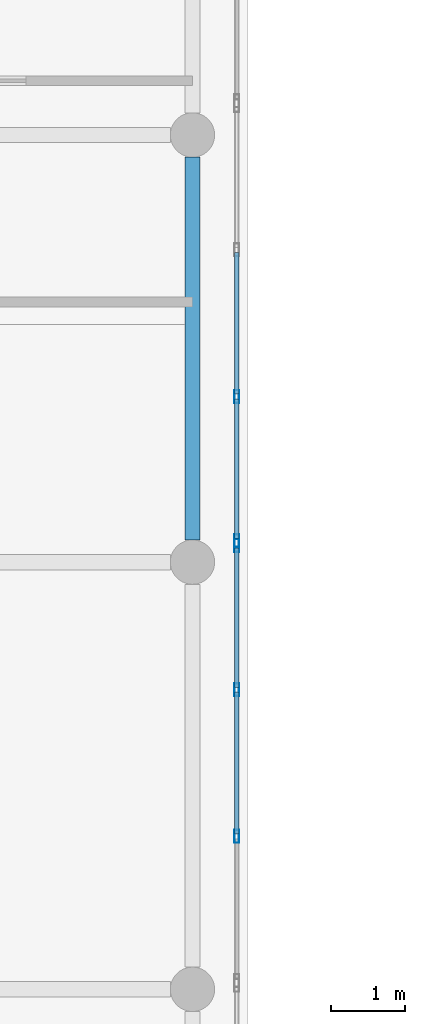
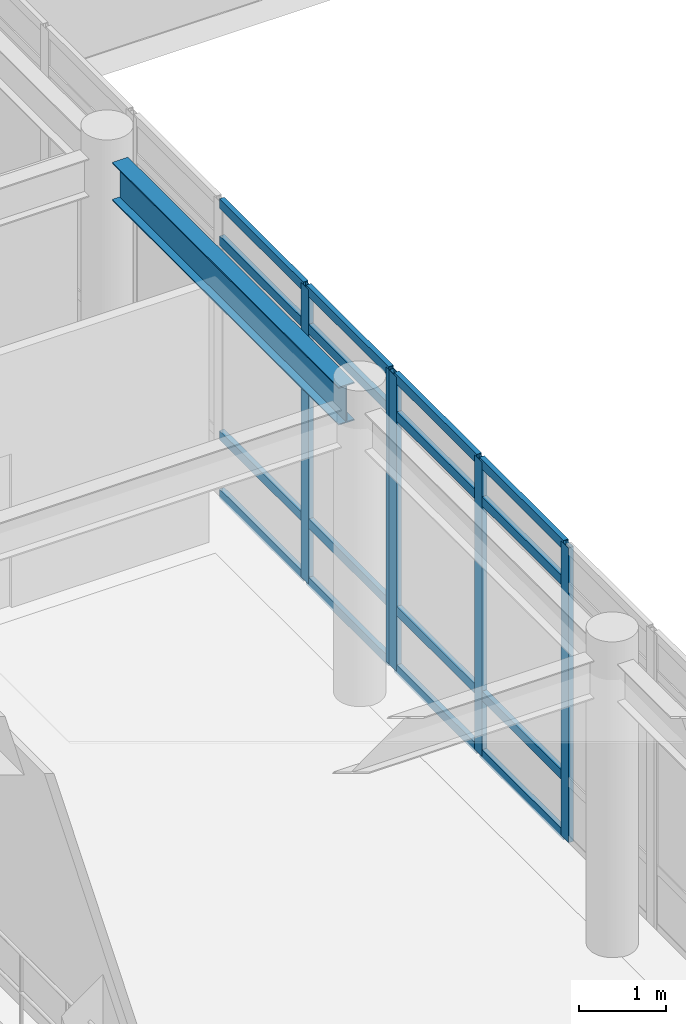
# One storey, part 60 of 142: 21 members, 1 beam, 2 elements without a shape of their own.
"""IFC4 building model written with IfcOpenShell, lengths in metres."""

from ifc_helpers import new_model, si_unit, direction, frame, origin, origin_2d, place, context, subcontext, project, spatial, hollow_rectangle, i_section, extrude, material, layer, layer_set, material_profile, profile_set, type_object, element, aggregate, save


model = new_model("IFC4")

# Units and contexts
model_context = context("Model", 3, precision=1e-05, world=origin(), true_north=direction((0.0, 1.0)))
body_context = subcontext(model_context, "Body", "Model", "MODEL_VIEW")
ifc_project = project(units=[si_unit("LENGTHUNIT", "METRE"), si_unit("AREAUNIT", "SQUARE_METRE"), si_unit("VOLUMEUNIT", "CUBIC_METRE"), si_unit("PLANEANGLEUNIT", "RADIAN"), si_unit("MASSUNIT", "GRAM", prefix="KILO")], contexts=[model_context])

# Site, building, storey
site_placement = place(None, origin())
site = spatial("IfcSite", under=ifc_project, at=site_placement, CompositionType="ELEMENT")
building_placement = place(site_placement, origin())
building = spatial("IfcBuilding", under=site, at=building_placement, Name="Valcora Specialist Clinic", CompositionType="ELEMENT")
storey_placement = place(building_placement, frame((0.0, 0.0, 5.10009765625)))
storey = spatial("IfcBuildingStorey", under=building, at=storey_placement, Name="L01", CompositionType="ELEMENT", Elevation=5.10009765625)

# Beam
ifc_material_1 = material(Name="Steel ASTM A992 Grade 50", Category="steel")
ifc_material_profile_1 = material_profile(ifc_material_1, i_section(OverallWidth=0.208984375, OverallDepth=0.532958984375, WebThickness=0.010009765625, FlangeThickness=0.01611328125, at=origin_2d()), Name="ST-IR-530X210")
ifc_profile_set_1 = profile_set([ifc_material_profile_1], Name="Steel ASTM A992 Grade 50")
beam_type = type_object("IfcBeamType", Name="TY-BM-IR530", PredefinedType="SPANDREL", material=ifc_profile_set_1)
beam_placement = place(storey_placement, frame((29.25, 67.97900390625, 3.849365234375), z_axis=(0.0, 1.0, 0.0), x_axis=(-1.0, 0.0, 0.0)))
element("IfcBeam", 1, at=beam_placement, inside=storey, type_object=beam_type, Name="Beam BM-L01-0187", PredefinedType="SPANDREL", context=body_context, shape_type="SweptSolid", body=[
    extrude(i_section(OverallWidth=0.208984375, OverallDepth=0.532958984375, WebThickness=0.010009765625, FlangeThickness=0.01611328125, at=origin_2d()), origin(), (0.0, 0.0, 1.0), 5.18505859375),
])

# Curtain wall, members
ifc_material_2 = material(Name="Anodized Bronze Aluminium 6063-T6", Category="aluminium")
ifc_layer = layer(ifc_material_2, 0.175048828125)
ifc_layer_set = layer_set([ifc_layer], Name="Anodized Bronze Aluminium 6063-T6")
curtain_wall_type = type_object("IfcCurtainWallType", Name="TY-CW-HAL18", PredefinedType="NOTDEFINED", material=ifc_layer_set)
curtain_wall_1_placement = place(storey_placement, origin())
curtain_wall_1 = element("IfcCurtainWall", 2, at=curtain_wall_1_placement, inside=storey, type_object=curtain_wall_type, Name="Curtain wall CW-L01-009", PredefinedType="NOTDEFINED")
ifc_material_profile_2 = material_profile(ifc_material_2, hollow_rectangle(XDim=0.06494140625, YDim=0.175048828125, WallThickness=0.00390625, at=origin_2d()), Name="AL-MUL-65X175")
ifc_profile_set_2 = profile_set([ifc_material_profile_2], Name="Anodized Bronze Aluminium 6063-T6")
member_type_1 = type_object("IfcMemberType", Name="TY-CWM-65X175", PredefinedType="MULLION", material=ifc_profile_set_2)
member_1_placement = place(storey_placement, frame((29.85009765625, 69.92138671875, 0.0), z_axis=(0.0, 0.0, 1.0), x_axis=(1.0, 0.0, 0.0)))
member_1 = element("IfcMember", 3, at=member_1_placement, type_object=member_type_1, Name="CW-HAL-18 mullion 3", PredefinedType="MULLION", context=body_context, shape_type="SweptSolid", body=[
    extrude(hollow_rectangle(XDim=0.06494140625, YDim=0.175048828125, WallThickness=0.00390625, at=origin_2d()), origin(), (0.0, 0.0, 1.0), 4.119873046875),
])
member_2_placement = place(storey_placement, frame((29.85009765625, 67.96826171875, 0.0), z_axis=(0.0, 0.0, 1.0), x_axis=(1.0, 0.0, 0.0)))
member_2 = element("IfcMember", 4, at=member_2_placement, type_object=member_type_1, Name="CW-HAL-18 mullion 4", PredefinedType="MULLION", context=body_context, shape_type="SweptSolid", body=[
    extrude(hollow_rectangle(XDim=0.06494140625, YDim=0.175048828125, WallThickness=0.00390625, at=origin_2d()), origin(), (0.0, 0.0, 1.0), 4.119873046875),
])

curtain_wall_2_placement = place(storey_placement, origin())
curtain_wall_2 = element("IfcCurtainWall", 5, at=curtain_wall_2_placement, inside=storey, type_object=curtain_wall_type, Name="Curtain wall CW-L01-010", PredefinedType="NOTDEFINED")
member_3_placement = place(storey_placement, frame((29.85009765625, 67.9033203125, 0.0), z_axis=(0.0, 0.0, 1.0), x_axis=(1.0, 0.0, 0.0)))
member_3 = element("IfcMember", 6, at=member_3_placement, type_object=member_type_1, Name="CW-HAL-18 mullion 1", PredefinedType="MULLION", context=body_context, shape_type="SweptSolid", body=[
    extrude(hollow_rectangle(XDim=0.06494140625, YDim=0.175048828125, WallThickness=0.00390625, at=origin_2d()), origin(), (0.0, 0.0, 1.0), 4.119873046875),
])
member_4_placement = place(storey_placement, frame((29.85009765625, 65.949951171875, 0.0), z_axis=(0.0, 0.0, 1.0), x_axis=(1.0, 0.0, 0.0)))
member_4 = element("IfcMember", 7, at=member_4_placement, type_object=member_type_1, Name="CW-HAL-18 mullion 2", PredefinedType="MULLION", context=body_context, shape_type="SweptSolid", body=[
    extrude(hollow_rectangle(XDim=0.06494140625, YDim=0.175048828125, WallThickness=0.00390625, at=origin_2d()), origin(), (0.0, 0.0, 1.0), 4.119873046875),
])
member_5_placement = place(storey_placement, frame((29.85009765625, 63.96435546875, 0.0), z_axis=(0.0, 0.0, 1.0), x_axis=(1.0, 0.0, 0.0)))
member_5 = element("IfcMember", 8, at=member_5_placement, type_object=member_type_1, Name="CW-HAL-18 mullion 3", PredefinedType="MULLION", context=body_context, shape_type="SweptSolid", body=[
    extrude(hollow_rectangle(XDim=0.06494140625, YDim=0.175048828125, WallThickness=0.00390625, at=origin_2d()), origin(), (0.0, 0.0, 1.0), 4.119873046875),
])

# Member
ifc_material_profile_3 = material_profile(ifc_material_2, hollow_rectangle(XDim=0.06494140625, YDim=0.1298828125, WallThickness=0.00390625, at=origin_2d()), Name="AL-TRN-65X130")
ifc_profile_set_3 = profile_set([ifc_material_profile_3], Name="Anodized Bronze Aluminium 6063-T6")
member_type_2 = type_object("IfcMemberType", Name="TY-CWT-65X130", PredefinedType="USERDEFINED", material=ifc_profile_set_3)
member_6_placement = place(storey_placement, frame((29.85009765625, 71.874755859375, 0.032470703125), z_axis=(0.0, -1.0, 0.0), x_axis=(1.0, 0.0, 0.0)))
member_6 = element("IfcMember", 9, at=member_6_placement, type_object=member_type_2, Name="CW-HAL-18 transom 2.1", ObjectType="TRANSOM", PredefinedType="USERDEFINED", context=body_context, shape_type="SweptSolid", body=[
    extrude(hollow_rectangle(XDim=0.06494140625, YDim=0.1298828125, WallThickness=0.00390625, at=origin_2d()), origin(), (0.0, 0.0, 1.0), 1.9208984375),
])

member_7_placement = place(storey_placement, frame((29.85009765625, 71.874755859375, 0.849853515625), z_axis=(0.0, -1.0, 0.0), x_axis=(1.0, 0.0, 0.0)))
member_7 = element("IfcMember", 10, at=member_7_placement, type_object=member_type_2, Name="CW-HAL-18 transom 2.2", ObjectType="TRANSOM", PredefinedType="USERDEFINED", context=body_context, shape_type="SweptSolid", body=[
    extrude(hollow_rectangle(XDim=0.06494140625, YDim=0.1298828125, WallThickness=0.00390625, at=origin_2d()), origin(), (0.0, 0.0, 1.0), 1.9208984375),
])

member_8_placement = place(storey_placement, frame((29.85009765625, 71.874755859375, 3.56982421875), z_axis=(0.0, -1.0, 0.0), x_axis=(1.0, 0.0, 0.0)))
member_8 = element("IfcMember", 11, at=member_8_placement, type_object=member_type_2, Name="CW-HAL-18 transom 2.3", ObjectType="TRANSOM", PredefinedType="USERDEFINED", context=body_context, shape_type="SweptSolid", body=[
    extrude(hollow_rectangle(XDim=0.06494140625, YDim=0.1298828125, WallThickness=0.00390625, at=origin_2d()), origin(), (0.0, 0.0, 1.0), 1.9208984375),
])

member_9_placement = place(storey_placement, frame((29.85009765625, 71.874755859375, 4.08740234375), z_axis=(0.0, -1.0, 0.0), x_axis=(1.0, 0.0, 0.0)))
member_9 = element("IfcMember", 12, at=member_9_placement, type_object=member_type_2, Name="CW-HAL-18 transom 2.4", ObjectType="TRANSOM", PredefinedType="USERDEFINED", context=body_context, shape_type="SweptSolid", body=[
    extrude(hollow_rectangle(XDim=0.06494140625, YDim=0.1298828125, WallThickness=0.00390625, at=origin_2d()), origin(), (0.0, 0.0, 1.0), 1.9208984375),
])

member_10_placement = place(storey_placement, frame((29.85009765625, 69.888916015625, 0.032470703125), z_axis=(0.0, -1.0, 0.0), x_axis=(1.0, 0.0, 0.0)))
member_10 = element("IfcMember", 13, at=member_10_placement, type_object=member_type_2, Name="CW-HAL-18 transom 3.1", ObjectType="TRANSOM", PredefinedType="USERDEFINED", context=body_context, shape_type="SweptSolid", body=[
    extrude(hollow_rectangle(XDim=0.06494140625, YDim=0.1298828125, WallThickness=0.00390625, at=origin_2d()), origin(), (0.0, 0.0, 1.0), 1.88818359375),
])

member_11_placement = place(storey_placement, frame((29.85009765625, 69.888916015625, 0.849853515625), z_axis=(0.0, -1.0, 0.0), x_axis=(1.0, 0.0, 0.0)))
member_11 = element("IfcMember", 14, at=member_11_placement, type_object=member_type_2, Name="CW-HAL-18 transom 3.2", ObjectType="TRANSOM", PredefinedType="USERDEFINED", context=body_context, shape_type="SweptSolid", body=[
    extrude(hollow_rectangle(XDim=0.06494140625, YDim=0.1298828125, WallThickness=0.00390625, at=origin_2d()), origin(), (0.0, 0.0, 1.0), 1.88818359375),
])

member_12_placement = place(storey_placement, frame((29.85009765625, 69.888916015625, 3.56982421875), z_axis=(0.0, -1.0, 0.0), x_axis=(1.0, 0.0, 0.0)))
member_12 = element("IfcMember", 15, at=member_12_placement, type_object=member_type_2, Name="CW-HAL-18 transom 3.3", ObjectType="TRANSOM", PredefinedType="USERDEFINED", context=body_context, shape_type="SweptSolid", body=[
    extrude(hollow_rectangle(XDim=0.06494140625, YDim=0.1298828125, WallThickness=0.00390625, at=origin_2d()), origin(), (0.0, 0.0, 1.0), 1.88818359375),
])

member_13_placement = place(storey_placement, frame((29.85009765625, 69.888916015625, 4.08740234375), z_axis=(0.0, -1.0, 0.0), x_axis=(1.0, 0.0, 0.0)))
member_13 = element("IfcMember", 16, at=member_13_placement, type_object=member_type_2, Name="CW-HAL-18 transom 3.4", ObjectType="TRANSOM", PredefinedType="USERDEFINED", context=body_context, shape_type="SweptSolid", body=[
    extrude(hollow_rectangle(XDim=0.06494140625, YDim=0.1298828125, WallThickness=0.00390625, at=origin_2d()), origin(), (0.0, 0.0, 1.0), 1.88818359375),
])

aggregate(curtain_wall_1, [member_1, member_2, member_6, member_7, member_8, member_9, member_10, member_11, member_12, member_13])

member_14_placement = place(storey_placement, frame((29.85009765625, 67.87060546875, 0.032470703125), z_axis=(0.0, -1.0, 0.0), x_axis=(1.0, 0.0, 0.0)))
member_14 = element("IfcMember", 17, at=member_14_placement, type_object=member_type_2, Name="CW-HAL-18 transom 1.1", ObjectType="TRANSOM", PredefinedType="USERDEFINED", context=body_context, shape_type="SweptSolid", body=[
    extrude(hollow_rectangle(XDim=0.06494140625, YDim=0.1298828125, WallThickness=0.00390625, at=origin_2d()), origin(), (0.0, 0.0, 1.0), 1.88818359375),
])

member_15_placement = place(storey_placement, frame((29.85009765625, 67.87060546875, 0.849853515625), z_axis=(0.0, -1.0, 0.0), x_axis=(1.0, 0.0, 0.0)))
member_15 = element("IfcMember", 18, at=member_15_placement, type_object=member_type_2, Name="CW-HAL-18 transom 1.2", ObjectType="TRANSOM", PredefinedType="USERDEFINED", context=body_context, shape_type="SweptSolid", body=[
    extrude(hollow_rectangle(XDim=0.06494140625, YDim=0.1298828125, WallThickness=0.00390625, at=origin_2d()), origin(), (0.0, 0.0, 1.0), 1.88818359375),
])

member_16_placement = place(storey_placement, frame((29.85009765625, 67.87060546875, 3.56982421875), z_axis=(0.0, -1.0, 0.0), x_axis=(1.0, 0.0, 0.0)))
member_16 = element("IfcMember", 19, at=member_16_placement, type_object=member_type_2, Name="CW-HAL-18 transom 1.3", ObjectType="TRANSOM", PredefinedType="USERDEFINED", context=body_context, shape_type="SweptSolid", body=[
    extrude(hollow_rectangle(XDim=0.06494140625, YDim=0.1298828125, WallThickness=0.00390625, at=origin_2d()), origin(), (0.0, 0.0, 1.0), 1.88818359375),
])

member_17_placement = place(storey_placement, frame((29.85009765625, 67.87060546875, 4.08740234375), z_axis=(0.0, -1.0, 0.0), x_axis=(1.0, 0.0, 0.0)))
member_17 = element("IfcMember", 20, at=member_17_placement, type_object=member_type_2, Name="CW-HAL-18 transom 1.4", ObjectType="TRANSOM", PredefinedType="USERDEFINED", context=body_context, shape_type="SweptSolid", body=[
    extrude(hollow_rectangle(XDim=0.06494140625, YDim=0.1298828125, WallThickness=0.00390625, at=origin_2d()), origin(), (0.0, 0.0, 1.0), 1.88818359375),
])

member_18_placement = place(storey_placement, frame((29.85009765625, 65.91748046875, 0.032470703125), z_axis=(0.0, -1.0, 0.0), x_axis=(1.0, 0.0, 0.0)))
member_18 = element("IfcMember", 21, at=member_18_placement, type_object=member_type_2, Name="CW-HAL-18 transom 2.1", ObjectType="TRANSOM", PredefinedType="USERDEFINED", context=body_context, shape_type="SweptSolid", body=[
    extrude(hollow_rectangle(XDim=0.06494140625, YDim=0.1298828125, WallThickness=0.00390625, at=origin_2d()), origin(), (0.0, 0.0, 1.0), 1.920654296875),
])

member_19_placement = place(storey_placement, frame((29.85009765625, 65.91748046875, 0.849853515625), z_axis=(0.0, -1.0, 0.0), x_axis=(1.0, 0.0, 0.0)))
member_19 = element("IfcMember", 22, at=member_19_placement, type_object=member_type_2, Name="CW-HAL-18 transom 2.2", ObjectType="TRANSOM", PredefinedType="USERDEFINED", context=body_context, shape_type="SweptSolid", body=[
    extrude(hollow_rectangle(XDim=0.06494140625, YDim=0.1298828125, WallThickness=0.00390625, at=origin_2d()), origin(), (0.0, 0.0, 1.0), 1.920654296875),
])

member_20_placement = place(storey_placement, frame((29.85009765625, 65.91748046875, 3.56982421875), z_axis=(0.0, -1.0, 0.0), x_axis=(1.0, 0.0, 0.0)))
member_20 = element("IfcMember", 23, at=member_20_placement, type_object=member_type_2, Name="CW-HAL-18 transom 2.3", ObjectType="TRANSOM", PredefinedType="USERDEFINED", context=body_context, shape_type="SweptSolid", body=[
    extrude(hollow_rectangle(XDim=0.06494140625, YDim=0.1298828125, WallThickness=0.00390625, at=origin_2d()), origin(), (0.0, 0.0, 1.0), 1.920654296875),
])

member_21_placement = place(storey_placement, frame((29.85009765625, 65.91748046875, 4.08740234375), z_axis=(0.0, -1.0, 0.0), x_axis=(1.0, 0.0, 0.0)))
member_21 = element("IfcMember", 24, at=member_21_placement, type_object=member_type_2, Name="CW-HAL-18 transom 2.4", ObjectType="TRANSOM", PredefinedType="USERDEFINED", context=body_context, shape_type="SweptSolid", body=[
    extrude(hollow_rectangle(XDim=0.06494140625, YDim=0.1298828125, WallThickness=0.00390625, at=origin_2d()), origin(), (0.0, 0.0, 1.0), 1.920654296875),
])

aggregate(curtain_wall_2, [member_3, member_4, member_5, member_14, member_15, member_16, member_17, member_18, member_19, member_20, member_21])

save(model, "model.ifc")
